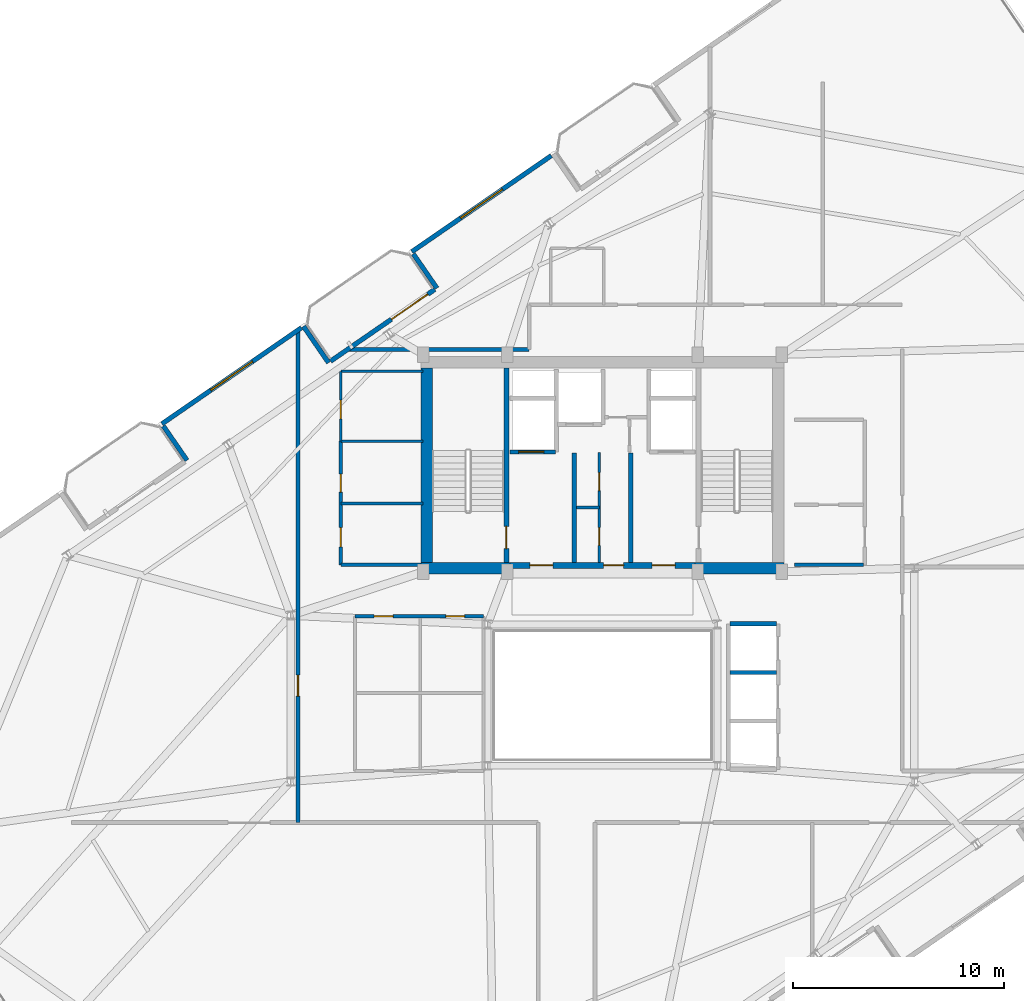
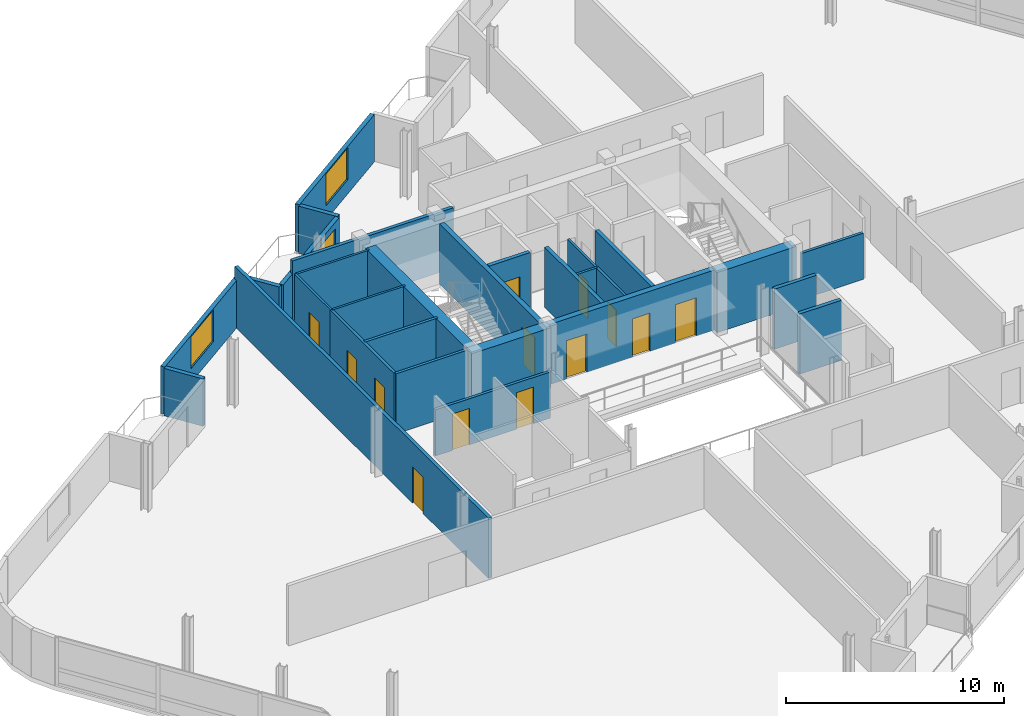
# One storey, part 18 of 23: 28 walls, 14 doors, 2 windows, 16 openings.
"""IFC4 building model written with IfcOpenShell, lengths in metres."""

from ifc_helpers import new_model, si_unit, direction, frame, frame_2d, origin, place, context, subcontext, project, spatial, rectangle, extrude, material, layer, layer_set, type_object, element, fill, save


model = new_model("IFC4")

# Units and contexts
model_context = context("Model", 3, precision=1e-05, world=origin(), true_north=direction((0.0, 1.0)))
body_context = subcontext(model_context, "Body", "Model", "MODEL_VIEW")
ifc_project = project(units=[si_unit("LENGTHUNIT", "METRE"), si_unit("AREAUNIT", "SQUARE_METRE"), si_unit("VOLUMEUNIT", "CUBIC_METRE"), si_unit("PLANEANGLEUNIT", "RADIAN"), si_unit("MASSUNIT", "GRAM", prefix="KILO")], contexts=[model_context])

# Site, building, storey
site_placement = place(None, origin())
site = spatial("IfcSite", under=ifc_project, at=site_placement, CompositionType="ELEMENT")
building_placement = place(site_placement, origin())
building = spatial("IfcBuilding", under=site, at=building_placement, Name="Varnelok Gate Tower", CompositionType="ELEMENT")
storey_placement = place(building_placement, frame((0.0, 0.0, 287.800048828125)))
storey = spatial("IfcBuildingStorey", under=building, at=storey_placement, Name="L74", CompositionType="ELEMENT", Elevation=287.800048828125)

# Wall, opening, door
ifc_material_1 = material(Name="Concrete C45/55", Category="concrete")
ifc_layer_1 = layer(ifc_material_1, 0.219970703125)
ifc_layer_set_1 = layer_set([ifc_layer_1], Name="Concrete C45/55")
wall_type_1 = type_object("IfcWallType", Name="EW-BALC-220", PredefinedType="SOLIDWALL", material=ifc_layer_set_1)
wall_1_placement = place(storey_placement, frame((26.29736328125, 38.742919921875, 0.0), z_axis=(0.0, 0.0, 1.0), x_axis=(0.823534636215, 0.567265989598, 0.0)))
wall_1 = element("IfcWall", 1, at=wall_1_placement, inside=storey, type_object=wall_type_1, Name="L74 North Terrace Envelope Wall 5", PredefinedType="SOLIDWALL", context=body_context, shape_type="SweptSolid", body=[
    extrude(rectangle(XDim=6.0, YDim=0.219970703125, at=frame_2d((3.0, 0.0))), origin(), (0.0, 0.0, 1.0), 2.659912109375),
])
opening_1_placement = place(wall_1_placement, frame((3.5, 0.0, 0.0)))
opening_1 = element("IfcOpeningElement", 2, at=opening_1_placement, cuts=wall_1, Name="Opening BD-2", PredefinedType="OPENING", context=body_context, shape_type="SweptSolid", body=[
    extrude(rectangle(XDim=2.10009765625, YDim=2.300048828125, at=frame_2d((1.050048828125, 1.14990234375))), frame((0.0, 0.119873046875, 0.0), z_axis=(0.0, -1.0, 0.0), x_axis=(1.0, 0.0, 0.0)), (0.0, 0.0, 1.0), 0.239990234375),
])
ifc_material_2 = material(Name="Anodized Aluminum Alloy 6063-T6", Category="aluminium")
door_type_1 = type_object("IfcDoorType", Name="DR-EXT-SLID2100", OperationType="SLIDING_TO_LEFT", PredefinedType="DOOR", material=ifc_material_2)
door_1_placement = place(opening_1_placement, origin())
door_1 = element("IfcDoor", 3, at=door_1_placement, inside=storey, type_object=door_type_1, Name="L74 North Balcony Glazed Door 5", OperationType="SLIDING_TO_LEFT", OverallHeight=2.300048828125, OverallWidth=2.10009765625, PredefinedType="DOOR", context=body_context, shape_type="SweptSolid", body=[
    extrude(rectangle(XDim=2.10009765625, YDim=2.300048828125, at=frame_2d((1.050048828125, 1.14990234375))), frame((0.0, 0.02490234375, 0.0), z_axis=(0.0, -1.0, 0.0), x_axis=(1.0, 0.0, 0.0)), (0.0, 0.0, 1.0), 0.050048828125),
])
fill(opening_1, door_1)

# Wall, opening, window
wall_2_placement = place(storey_placement, frame((36.768798828125, 48.493896484375, 0.0), z_axis=(0.0, 0.0, 1.0), x_axis=(-0.823521165086, -0.56728554596, 0.0)))
wall_2 = element("IfcWall", 4, at=wall_2_placement, inside=storey, type_object=wall_type_1, Name="L74 Perimeter Facade Closure Wall 32", PredefinedType="SOLIDWALL", context=body_context, shape_type="SweptSolid", body=[
    extrude(rectangle(XDim=8.034912109375, YDim=0.219970703125, at=frame_2d((4.017578125, 0.0))), origin(), (0.0, 0.0, 1.0), 2.659912109375),
])
opening_2_placement = place(wall_2_placement, frame((2.8173828125, 0.0, 0.800048828125)))
opening_2 = element("IfcOpeningElement", 5, at=opening_2_placement, cuts=wall_2, Name="Opening WN6A", PredefinedType="OPENING", context=body_context, shape_type="SweptSolid", body=[
    extrude(rectangle(XDim=2.39990234375, YDim=1.780029296875, at=frame_2d((1.199951171875, 0.89013671875))), frame((0.0, 0.119873046875, 0.0), z_axis=(0.0, -1.0, 0.0), x_axis=(1.0, 0.0, 0.0)), (0.0, 0.0, 1.0), 0.239990234375),
])
ifc_material_3 = material(Name="Low-E Laminated Double Glazing IGU", Category="glass")
window_type = type_object("IfcWindowType", Name="WN-PEN-2400X1780", PartitioningType="SINGLE_PANEL", PredefinedType="WINDOW", material=ifc_material_3)
window_1_placement = place(opening_2_placement, origin())
window_1 = element("IfcWindow", 6, at=window_1_placement, inside=storey, type_object=window_type, Name="L74 Perimeter Vision Window 32", OverallHeight=1.780029296875, OverallWidth=2.39990234375, PartitioningType="SINGLE_PANEL", PredefinedType="WINDOW", context=body_context, shape_type="SweptSolid", body=[
    extrude(rectangle(XDim=2.39990234375, YDim=1.780029296875, at=frame_2d((1.199951171875, 0.89013671875))), frame((0.0, 0.030029296875, 0.0), z_axis=(0.0, -1.0, 0.0), x_axis=(1.0, 0.0, 0.0)), (0.0, 0.0, 1.0), 0.06005859375),
])
fill(opening_2, window_1)

# Walls
wall_3_placement = place(storey_placement, frame((30.22265625, 43.8330078125, 0.0), z_axis=(0.0, 0.0, 1.0), x_axis=(0.567215821234, -0.823569190865, 0.0)))
element("IfcWall", 7, at=wall_3_placement, inside=storey, type_object=wall_type_1, Name="L74 Perimeter Facade Closure Wall 33", PredefinedType="SOLIDWALL", context=body_context, shape_type="SweptSolid", body=[
    extrude(rectangle(XDim=1.97509765625, YDim=0.219970703125, at=frame_2d((0.987548828125, 0.0))), origin(), (0.0, 0.0, 1.0), 2.659912109375),
])
wall_4_placement = place(storey_placement, frame((26.2041015625, 38.66650390625, 0.0), z_axis=(0.0, 0.0, 1.0), x_axis=(-0.567219383419, 0.823566737474, 0.0)))
element("IfcWall", 8, at=wall_4_placement, inside=storey, type_object=wall_type_1, Name="L74 Perimeter Facade Closure Wall 34", PredefinedType="SOLIDWALL", context=body_context, shape_type="SweptSolid", body=[
    extrude(rectangle(XDim=2.10009765625, YDim=0.219970703125, at=frame_2d((1.050048828125, 0.0))), origin(), (0.0, 0.0, 1.0), 2.659912109375),
])

# Wall, opening, window
wall_5_placement = place(storey_placement, frame((24.909912109375, 40.3251953125, 0.0), z_axis=(0.0, 0.0, 1.0), x_axis=(-0.823521165086, -0.56728554596, 0.0)))
wall_5 = element("IfcWall", 9, at=wall_5_placement, inside=storey, type_object=wall_type_1, Name="L74 Perimeter Facade Closure Wall 35", PredefinedType="SOLIDWALL", context=body_context, shape_type="SweptSolid", body=[
    extrude(rectangle(XDim=8.034912109375, YDim=0.219970703125, at=frame_2d((4.017578125, 0.0))), origin(), (0.0, 0.0, 1.0), 2.659912109375),
])
opening_3_placement = place(wall_5_placement, frame((2.8173828125, 0.0, 0.800048828125)))
opening_3 = element("IfcOpeningElement", 10, at=opening_3_placement, cuts=wall_5, Name="Opening WN6A", PredefinedType="OPENING", context=body_context, shape_type="SweptSolid", body=[
    extrude(rectangle(XDim=2.39990234375, YDim=1.780029296875, at=frame_2d((1.199951171875, 0.89013671875))), frame((0.0, 0.119873046875, 0.0), z_axis=(0.0, -1.0, 0.0), x_axis=(1.0, 0.0, 0.0)), (0.0, 0.0, 1.0), 0.239990234375),
])
window_2_placement = place(opening_3_placement, origin())
window_2 = element("IfcWindow", 11, at=window_2_placement, inside=storey, type_object=window_type, Name="L74 Perimeter Vision Window 35", OverallHeight=1.780029296875, OverallWidth=2.39990234375, PartitioningType="SINGLE_PANEL", PredefinedType="WINDOW", context=body_context, shape_type="SweptSolid", body=[
    extrude(rectangle(XDim=2.39990234375, YDim=1.780029296875, at=frame_2d((1.199951171875, 0.89013671875))), frame((0.0, 0.030029296875, 0.0), z_axis=(0.0, -1.0, 0.0), x_axis=(1.0, 0.0, 0.0)), (0.0, 0.0, 1.0), 0.06005859375),
])
fill(opening_3, window_2)

# Wall
wall_6_placement = place(storey_placement, frame((18.36376953125, 35.664306640625, 0.0), z_axis=(0.0, 0.0, 1.0), x_axis=(0.567215821234, -0.823569190865, 0.0)))
element("IfcWall", 12, at=wall_6_placement, inside=storey, type_object=wall_type_1, Name="L74 Perimeter Facade Closure Wall 36", PredefinedType="SOLIDWALL", context=body_context, shape_type="SweptSolid", body=[
    extrude(rectangle(XDim=1.97509765625, YDim=0.219970703125, at=frame_2d((0.987548828125, 0.0))), origin(), (0.0, 0.0, 1.0), 2.659912109375),
])

# Wall, opening, door
ifc_material_4 = material(Name="Gypsum Plasterboard Acoustic Partition", Category="gypsum")
ifc_layer_2 = layer(ifc_material_4, 0.179931640625)
ifc_layer_set_2 = layer_set([ifc_layer_2], Name="Gypsum Plasterboard Acoustic Partition")
wall_type_2 = type_object("IfcWallType", Name="PW-CORR-180", PredefinedType="PARTITIONING", material=ifc_layer_set_2)
wall_7_placement = place(storey_placement, frame((24.75, 16.85009765625, 0.0), z_axis=(0.0, 0.0, 1.0), x_axis=(0.0, 1.0, 0.0)))
wall_7 = element("IfcWall", 13, at=wall_7_placement, inside=storey, type_object=wall_type_2, Name="Interior Partition", PredefinedType="PARTITIONING", context=body_context, shape_type="SweptSolid", body=[
    extrude(rectangle(XDim=23.324951171875, YDim=0.179931640625, at=frame_2d((11.66259765625, 0.0))), origin(), (0.0, 0.0, 1.0), 3.3798828125),
])
opening_4_placement = place(wall_7_placement, frame((6.0, 0.0, 0.0)))
opening_4 = element("IfcOpeningElement", 14, at=opening_4_placement, cuts=wall_7, Name="Opening D-I1", PredefinedType="OPENING", context=body_context, shape_type="SweptSolid", body=[
    extrude(rectangle(XDim=1.0, YDim=2.050048828125, at=frame_2d((0.5, 1.02490234375))), frame((0.0, 0.099853515625, 0.0), z_axis=(0.0, -1.0, 0.0), x_axis=(1.0, 0.0, 0.0)), (0.0, 0.0, 1.0), 0.199951171875),
])
ifc_material_5 = material(Name="Engineered Hardwood Timber", Category="wood")
door_type_2 = type_object("IfcDoorType", Name="DR-INT-1000", OperationType="NOTDEFINED", PredefinedType="DOOR", material=ifc_material_5)
door_2_placement = place(opening_4_placement, origin())
door_2 = element("IfcDoor", 15, at=door_2_placement, inside=storey, type_object=door_type_2, Name="L74 Private Spa Door", OperationType="SINGLE_SWING_LEFT", OverallHeight=2.050048828125, OverallWidth=1.0, PredefinedType="DOOR", context=body_context, shape_type="SweptSolid", body=[
    extrude(rectangle(XDim=1.0, YDim=2.050048828125, at=frame_2d((0.5, 1.02490234375))), frame((0.0, 0.02490234375, 0.0), z_axis=(0.0, -1.0, 0.0), x_axis=(1.0, 0.0, 0.0)), (0.0, 0.0, 1.0), 0.050048828125),
])
fill(opening_4, door_2)

# Walls
wall_8_placement = place(storey_placement, frame((27.158935546875, 39.300048828125, 0.0), z_axis=(0.0, 0.0, 1.0), x_axis=(1.0, 0.0, 0.0)))
element("IfcWall", 16, at=wall_8_placement, inside=storey, type_object=wall_type_2, Name="Interior Partition", PredefinedType="PARTITIONING", context=body_context, shape_type="SweptSolid", body=[
    extrude(rectangle(XDim=8.56103515625, YDim=0.179931640625, at=frame_2d((4.280517578125, 0.0))), origin(), (0.0, 0.0, 1.0), 3.3798828125),
])
ifc_layer_3 = layer(ifc_material_4, 0.114990234375)
ifc_layer_set_3 = layer_set([ifc_layer_3], Name="Gypsum Plasterboard Acoustic Partition")
wall_type_3 = type_object("IfcWallType", Name="PW-ENS-125", PredefinedType="PARTITIONING", material=ifc_layer_set_3)
wall_9_placement = place(storey_placement, frame((26.800048828125, 34.949951171875, 0.0), z_axis=(0.0, 0.0, 1.0), x_axis=(1.0, 0.0, 0.0)))
element("IfcWall", 17, at=wall_9_placement, inside=storey, type_object=wall_type_3, Name="Interior Partition", PredefinedType="PARTITIONING", context=body_context, shape_type="SweptSolid", body=[
    extrude(rectangle(XDim=3.8798828125, YDim=0.114990234375, at=frame_2d((1.93994140625, 0.0))), origin(), (0.0, 0.0, 1.0), 3.3798828125),
])
wall_10_placement = place(storey_placement, frame((26.780029296875, 38.260009765625, 0.0), z_axis=(0.0, 0.0, 1.0), x_axis=(1.0, 0.0, 0.0)))
element("IfcWall", 18, at=wall_10_placement, inside=storey, type_object=wall_type_3, Name="Interior Partition", PredefinedType="PARTITIONING", context=body_context, shape_type="SweptSolid", body=[
    extrude(rectangle(XDim=3.89990234375, YDim=0.114990234375, at=frame_2d((1.949951171875, 0.0))), origin(), (0.0, 0.0, 1.0), 3.3798828125),
])

# Wall, opening, door
wall_11_placement = place(storey_placement, frame((26.780029296875, 34.949951171875, 0.0), z_axis=(0.0, 0.0, 1.0), x_axis=(0.0, 1.0, 0.0)))
wall_11 = element("IfcWall", 19, at=wall_11_placement, inside=storey, type_object=wall_type_3, Name="Interior Partition", PredefinedType="PARTITIONING", context=body_context, shape_type="SweptSolid", body=[
    extrude(rectangle(XDim=3.31005859375, YDim=0.114990234375, at=frame_2d((1.655029296875, 0.0))), origin(), (0.0, 0.0, 1.0), 3.3798828125),
])
opening_5_placement = place(wall_11_placement, frame((1.050048828125, 0.0, 0.0)))
opening_5 = element("IfcOpeningElement", 20, at=opening_5_placement, cuts=wall_11, Name="Opening D-WC", PredefinedType="OPENING", context=body_context, shape_type="SweptSolid", body=[
    extrude(rectangle(XDim=0.89990234375, YDim=2.050048828125, at=frame_2d((0.449951171875, 1.02490234375))), frame((0.0, 0.0673828125, 0.0), z_axis=(0.0, -1.0, 0.0), x_axis=(1.0, 0.0, 0.0)), (0.0, 0.0, 1.0), 0.135009765625),
])
door_type_3 = type_object("IfcDoorType", Name="DR-BATH-900", OperationType="NOTDEFINED", PredefinedType="DOOR", material=ifc_material_5)
door_3_placement = place(opening_5_placement, origin())
door_3 = element("IfcDoor", 21, at=door_3_placement, inside=storey, type_object=door_type_3, Name="L74 Core Staff WC Door", OperationType="SINGLE_SWING_LEFT", OverallHeight=2.050048828125, OverallWidth=0.89990234375, PredefinedType="DOOR", context=body_context, shape_type="SweptSolid", body=[
    extrude(rectangle(XDim=0.89990234375, YDim=2.050048828125, at=frame_2d((0.449951171875, 1.02490234375))), frame((0.0, 0.02490234375, 0.0), z_axis=(0.0, -1.0, 0.0), x_axis=(1.0, 0.0, 0.0)), (0.0, 0.0, 1.0), 0.050048828125),
])
fill(opening_5, door_3)

# Wall
ifc_layer_4 = layer(ifc_material_4, 0.125)
ifc_layer_set_4 = layer_set([ifc_layer_4], Name="Gypsum Plasterboard Acoustic Partition")
wall_type_4 = type_object("IfcWallType", Name="PW-PART-125", PredefinedType="PARTITIONING", material=ifc_layer_set_4)
wall_12_placement = place(storey_placement, frame((37.9599609375, 31.800048828125, 0.0), z_axis=(0.0, 0.0, 1.0), x_axis=(1.0, 0.0, 0.0)))
element("IfcWall", 22, at=wall_12_placement, inside=storey, type_object=wall_type_4, Name="Interior Partition", PredefinedType="PARTITIONING", context=body_context, shape_type="SweptSolid", body=[
    extrude(rectangle(XDim=1.090087890625, YDim=0.125, at=frame_2d((0.544921875, 0.0))), origin(), (0.0, 0.0, 1.0), 3.3798828125),
])

# Wall, openings, doors
wall_13_placement = place(storey_placement, frame((39.050048828125, 29.199951171875, 0.0), z_axis=(0.0, 0.0, 1.0), x_axis=(0.0, 1.0, 0.0)))
wall_13 = element("IfcWall", 23, at=wall_13_placement, inside=storey, type_object=wall_type_4, Name="Interior Partition", PredefinedType="PARTITIONING", context=body_context, shape_type="SweptSolid", body=[
    extrude(rectangle(XDim=5.219970703125, YDim=0.125, at=frame_2d((2.60986328125, 0.0))), origin(), (0.0, 0.0, 1.0), 3.3798828125),
])
opening_6_placement = place(wall_13_placement, frame((0.800048828125, 0.0, 0.0)))
opening_6 = element("IfcOpeningElement", 24, at=opening_6_placement, cuts=wall_13, Name="Opening D-RS", PredefinedType="OPENING", context=body_context, shape_type="SweptSolid", body=[
    extrude(rectangle(XDim=0.85009765625, YDim=2.050048828125, at=frame_2d((0.425048828125, 1.02490234375))), frame((0.0, 0.072509765625, 0.0), z_axis=(0.0, -1.0, 0.0), x_axis=(1.0, 0.0, 0.0)), (0.0, 0.0, 1.0), 0.14501953125),
])
opening_7_placement = place(wall_13_placement, frame((3.39990234375, 0.0, 0.0)))
opening_7 = element("IfcOpeningElement", 25, at=opening_7_placement, cuts=wall_13, Name="Opening D-RS", PredefinedType="OPENING", context=body_context, shape_type="SweptSolid", body=[
    extrude(rectangle(XDim=0.85009765625, YDim=2.050048828125, at=frame_2d((0.425048828125, 1.02490234375))), frame((0.0, 0.072509765625, 0.0), z_axis=(0.0, -1.0, 0.0), x_axis=(1.0, 0.0, 0.0)), (0.0, 0.0, 1.0), 0.14501953125),
])
ifc_material_6 = material(Name="Galvanized Steel Grade S350GD", Category="steel")
door_type_4 = type_object("IfcDoorType", Name="DR-RISER-850", OperationType="NOTDEFINED", PredefinedType="DOOR", material=ifc_material_6)
door_4_placement = place(opening_6_placement, origin())
door_4 = element("IfcDoor", 26, at=door_4_placement, inside=storey, type_object=door_type_4, Name="L74 Housekeeping Linen Door", OperationType="SINGLE_SWING_LEFT", OverallHeight=2.050048828125, OverallWidth=0.85009765625, PredefinedType="DOOR", context=body_context, shape_type="SweptSolid", body=[
    extrude(rectangle(XDim=0.85009765625, YDim=2.050048828125, at=frame_2d((0.425048828125, 1.02490234375))), frame((0.0, 0.02490234375, 0.0), z_axis=(0.0, -1.0, 0.0), x_axis=(1.0, 0.0, 0.0)), (0.0, 0.0, 1.0), 0.050048828125),
])
fill(opening_6, door_4)
door_5_placement = place(opening_7_placement, origin())
door_5 = element("IfcDoor", 27, at=door_5_placement, inside=storey, type_object=door_type_4, Name="L74 Janitor Sink Door", OperationType="SINGLE_SWING_RIGHT", OverallHeight=2.050048828125, OverallWidth=0.85009765625, PredefinedType="DOOR", context=body_context, shape_type="SweptSolid", body=[
    extrude(rectangle(XDim=0.85009765625, YDim=2.050048828125, at=frame_2d((0.425048828125, 1.02490234375))), frame((0.0, 0.02490234375, 0.0), z_axis=(0.0, -1.0, 0.0), x_axis=(1.0, 0.0, 0.0)), (0.0, 0.0, 1.0), 0.050048828125),
])
fill(opening_7, door_5)

ifc_layer_5 = layer(ifc_material_4, 0.14990234375)
ifc_layer_set_5 = layer_set([ifc_layer_5], Name="Gypsum Plasterboard Acoustic Partition")
wall_type_5 = type_object("IfcWallType", Name="PW-PART-150", PredefinedType="PARTITIONING", material=ifc_layer_set_5)
wall_14_placement = place(storey_placement, frame((27.4599609375, 26.639892578125, 0.0), z_axis=(0.0, 0.0, 1.0), x_axis=(1.0, 0.0, 0.0)))
wall_14 = element("IfcWall", 28, at=wall_14_placement, inside=storey, type_object=wall_type_5, Name="Interior Partition", PredefinedType="PARTITIONING", context=body_context, shape_type="SweptSolid", body=[
    extrude(rectangle(XDim=6.10009765625, YDim=0.14990234375, at=frame_2d((3.050048828125, 0.0))), origin(), (0.0, 0.0, 1.0), 2.592041015625),
])
opening_8_placement = place(wall_14_placement, frame((0.89990234375, 0.0, 0.0)))
opening_8 = element("IfcOpeningElement", 29, at=opening_8_placement, cuts=wall_14, Name="Opening D-WC", PredefinedType="OPENING", context=body_context, shape_type="SweptSolid", body=[
    extrude(rectangle(XDim=0.89990234375, YDim=2.050048828125, at=frame_2d((0.449951171875, 1.02490234375))), frame((0.0, 0.0849609375, 0.0), z_axis=(0.0, -1.0, 0.0), x_axis=(1.0, 0.0, 0.0)), (0.0, 0.0, 1.0), 0.169921875),
])
opening_9_placement = place(wall_14_placement, frame((4.302978515625, 0.0, 0.0)))
opening_9 = element("IfcOpeningElement", 30, at=opening_9_placement, cuts=wall_14, Name="Opening D-WC", PredefinedType="OPENING", context=body_context, shape_type="SweptSolid", body=[
    extrude(rectangle(XDim=0.89990234375, YDim=2.050048828125, at=frame_2d((0.449951171875, 1.02490234375))), frame((0.0, 0.0849609375, 0.0), z_axis=(0.0, -1.0, 0.0), x_axis=(1.0, 0.0, 0.0)), (0.0, 0.0, 1.0), 0.169921875),
])
door_6_placement = place(opening_8_placement, origin())
door_6 = element("IfcDoor", 31, at=door_6_placement, inside=storey, type_object=door_type_3, Name="L74 Male WC Door", OperationType="SINGLE_SWING_LEFT", OverallHeight=2.050048828125, OverallWidth=0.89990234375, PredefinedType="DOOR", context=body_context, shape_type="SweptSolid", body=[
    extrude(rectangle(XDim=0.89990234375, YDim=2.050048828125, at=frame_2d((0.449951171875, 1.02490234375))), frame((0.0, 0.02490234375, 0.0), z_axis=(0.0, -1.0, 0.0), x_axis=(1.0, 0.0, 0.0)), (0.0, 0.0, 1.0), 0.050048828125),
])
fill(opening_8, door_6)
door_7_placement = place(opening_9_placement, origin())
door_7 = element("IfcDoor", 32, at=door_7_placement, inside=storey, type_object=door_type_3, Name="L74 Female WC Door", OperationType="SINGLE_SWING_RIGHT", OverallHeight=2.050048828125, OverallWidth=0.89990234375, PredefinedType="DOOR", context=body_context, shape_type="SweptSolid", body=[
    extrude(rectangle(XDim=0.89990234375, YDim=2.050048828125, at=frame_2d((0.449951171875, 1.02490234375))), frame((0.0, 0.02490234375, 0.0), z_axis=(0.0, -1.0, 0.0), x_axis=(1.0, 0.0, 0.0)), (0.0, 0.0, 1.0), 0.050048828125),
])
fill(opening_9, door_7)

# Walls
wall_15_placement = place(storey_placement, frame((26.780029296875, 29.080078125, 0.0), z_axis=(0.0, 0.0, 1.0), x_axis=(1.0, 0.0, 0.0)))
element("IfcWall", 33, at=wall_15_placement, inside=storey, type_object=wall_type_5, Name="Interior Partition", PredefinedType="PARTITIONING", context=body_context, shape_type="SweptSolid", body=[
    extrude(rectangle(XDim=3.800048828125, YDim=0.14990234375, at=frame_2d((1.89990234375, 0.0))), origin(), (0.0, 0.0, 1.0), 3.3798828125),
])
wall_16_placement = place(storey_placement, frame((26.800048828125, 31.989990234375, 0.0), z_axis=(0.0, 0.0, 1.0), x_axis=(1.0, 0.0, 0.0)))
element("IfcWall", 34, at=wall_16_placement, inside=storey, type_object=wall_type_5, Name="Interior Partition", PredefinedType="PARTITIONING", context=body_context, shape_type="SweptSolid", body=[
    extrude(rectangle(XDim=3.8798828125, YDim=0.14990234375, at=frame_2d((1.93994140625, 0.0))), origin(), (0.0, 0.0, 1.0), 3.3798828125),
])

# Wall, openings, doors
wall_17_placement = place(storey_placement, frame((26.780029296875, 29.080078125, 0.0), z_axis=(0.0, 0.0, 1.0), x_axis=(0.0, 1.0, 0.0)))
wall_17 = element("IfcWall", 35, at=wall_17_placement, inside=storey, type_object=wall_type_5, Name="Interior Partition", PredefinedType="PARTITIONING", context=body_context, shape_type="SweptSolid", body=[
    extrude(rectangle(XDim=5.869873046875, YDim=0.14990234375, at=frame_2d((2.93505859375, 0.0))), origin(), (0.0, 0.0, 1.0), 3.3798828125),
])
opening_10_placement = place(wall_17_placement, frame((0.85009765625, 0.0, 0.0)))
opening_10 = element("IfcOpeningElement", 36, at=opening_10_placement, cuts=wall_17, Name="Opening D-I3", PredefinedType="OPENING", context=body_context, shape_type="SweptSolid", body=[
    extrude(rectangle(XDim=0.919921875, YDim=2.050048828125, at=frame_2d((0.4599609375, 1.02490234375))), frame((0.0, 0.0849609375, 0.0), z_axis=(0.0, -1.0, 0.0), x_axis=(1.0, 0.0, 0.0)), (0.0, 0.0, 1.0), 0.169921875),
])
opening_11_placement = place(wall_17_placement, frame((3.449951171875, 0.0, 0.0)))
opening_11 = element("IfcOpeningElement", 37, at=opening_11_placement, cuts=wall_17, Name="Opening D-RS", PredefinedType="OPENING", context=body_context, shape_type="SweptSolid", body=[
    extrude(rectangle(XDim=0.85009765625, YDim=2.050048828125, at=frame_2d((0.425048828125, 1.02490234375))), frame((0.0, 0.0849609375, 0.0), z_axis=(0.0, -1.0, 0.0), x_axis=(1.0, 0.0, 0.0)), (0.0, 0.0, 1.0), 0.169921875),
])
door_type_5 = type_object("IfcDoorType", Name="DR-INT-920", OperationType="NOTDEFINED", PredefinedType="DOOR", material=ifc_material_5)
door_8_placement = place(opening_10_placement, origin())
door_8 = element("IfcDoor", 38, at=door_8_placement, inside=storey, type_object=door_type_5, Name="L74 Core Linen Door", OperationType="SINGLE_SWING_LEFT", OverallHeight=2.050048828125, OverallWidth=0.919921875, PredefinedType="DOOR", context=body_context, shape_type="SweptSolid", body=[
    extrude(rectangle(XDim=0.919921875, YDim=2.050048828125, at=frame_2d((0.4599609375, 1.02490234375))), frame((0.0, 0.02490234375, 0.0), z_axis=(0.0, -1.0, 0.0), x_axis=(1.0, 0.0, 0.0)), (0.0, 0.0, 1.0), 0.050048828125),
])
fill(opening_10, door_8)
door_9_placement = place(opening_11_placement, origin())
door_9 = element("IfcDoor", 39, at=door_9_placement, inside=storey, type_object=door_type_4, Name="L74 Core Janitor Door", OperationType="SINGLE_SWING_RIGHT", OverallHeight=2.050048828125, OverallWidth=0.85009765625, PredefinedType="DOOR", context=body_context, shape_type="SweptSolid", body=[
    extrude(rectangle(XDim=0.85009765625, YDim=2.050048828125, at=frame_2d((0.425048828125, 1.02490234375))), frame((0.0, 0.02490234375, 0.0), z_axis=(0.0, -1.0, 0.0), x_axis=(1.0, 0.0, 0.0)), (0.0, 0.0, 1.0), 0.050048828125),
])
fill(opening_11, door_9)

# Walls
wall_18_placement = place(storey_placement, frame((48.300048828125, 29.080078125, 0.0), z_axis=(0.0, 0.0, 1.0), x_axis=(1.0, 0.0, 0.0)))
element("IfcWall", 40, at=wall_18_placement, inside=storey, type_object=wall_type_5, Name="Interior Partition", PredefinedType="PARTITIONING", context=body_context, shape_type="SweptSolid", body=[
    extrude(rectangle(XDim=3.280029296875, YDim=0.14990234375, at=frame_2d((1.64013671875, 0.0))), origin(), (0.0, 0.0, 1.0), 2.592041015625),
])
ifc_material_7 = material(Name="Concrete C35/45", Category="concrete")
ifc_layer_6 = layer(ifc_material_7, 0.199951171875)
ifc_layer_set_6 = layer_set([ifc_layer_6], Name="Concrete C35/45")
wall_type_6 = type_object("IfcWallType", Name="PW-SHAFT-200", PredefinedType="PARTITIONING", material=ifc_layer_set_6)
for number, where, z_axis, x_axis, name in (
    (41, (37.860107421875, 29.199951171875, 0.0), (0.0, 0.0, 1.0), (0.0, 1.0, 0.0), "L74 West FF Lobby Rated Wall"),
    (42, (40.5400390625, 29.199951171875, 0.0), (0.0, 0.0, 1.0), (0.0, 1.0, 0.0), "L74 East FF Lobby Rated Wall"),
):
    element("IfcWall", number, at=place(storey_placement, frame(where, z_axis=z_axis, x_axis=x_axis)), inside=storey, type_object=wall_type_6, Name=name, PredefinedType="PARTITIONING", context=body_context, shape_type="SweptSolid", body=[
        extrude(rectangle(XDim=5.179931640625, YDim=0.199951171875, at=frame_2d((2.58984375, 0.0))), origin(), (0.0, 0.0, 1.0), 3.3798828125),
    ])

# Wall, opening, door
wall_19_placement = place(storey_placement, frame((34.800048828125, 34.43994140625, 0.0), z_axis=(0.0, 0.0, 1.0), x_axis=(1.0, 0.0, 0.0)))
wall_19 = element("IfcWall", 43, at=wall_19_placement, inside=storey, type_object=wall_type_6, Name="L74 FF1 Shaft Front Wall", PredefinedType="PARTITIONING", context=body_context, shape_type="SweptSolid", body=[
    extrude(rectangle(XDim=2.179931640625, YDim=0.199951171875, at=frame_2d((1.08984375, 0.0))), origin(), (0.0, 0.0, 1.0), 3.3798828125),
])
opening_12_placement = place(wall_19_placement, frame((0.419921875, 0.0, 0.0)))
opening_12 = element("IfcOpeningElement", 44, at=opening_12_placement, cuts=wall_19, Name="Opening LD-FF1", PredefinedType="OPENING", context=body_context, shape_type="SweptSolid", body=[
    extrude(rectangle(XDim=1.199951171875, YDim=2.199951171875, at=frame_2d((0.60009765625, 1.10009765625))), frame((0.0, 0.10986328125, 0.0), z_axis=(0.0, -1.0, 0.0), x_axis=(1.0, 0.0, 0.0)), (0.0, 0.0, 1.0), 0.219970703125),
])
door_type_6 = type_object("IfcDoorType", Name="DR-LIFT-FF1200", OperationType="SLIDING_TO_LEFT", PredefinedType="DOOR", material=ifc_material_6)
door_10_placement = place(opening_12_placement, origin())
door_10 = element("IfcDoor", 45, at=door_10_placement, inside=storey, type_object=door_type_6, Name="L74 Firefighting Lift Landing Door LD-FF1", OperationType="SLIDING_TO_LEFT", OverallHeight=2.199951171875, OverallWidth=1.199951171875, PredefinedType="DOOR", context=body_context, shape_type="SweptSolid", body=[
    extrude(rectangle(XDim=1.199951171875, YDim=2.199951171875, at=frame_2d((0.60009765625, 1.10009765625))), frame((0.0, 0.02490234375, 0.0), z_axis=(0.0, -1.0, 0.0), x_axis=(1.0, 0.0, 0.0)), (0.0, 0.0, 1.0), 0.050048828125),
])
fill(opening_12, door_10)

# Walls
for number, where, z_axis, x_axis, name in (
    (46, (45.239990234375, 23.97509765625, 0.0), (0.0, 0.0, 1.0), (1.0, 0.0, 0.0), "L74 PH2 Divider"),
    (47, (45.239990234375, 26.280029296875, 0.0), (0.0, 0.0, 1.0), (1.0, 0.0, 0.0), "L74 PH Bank North Wall"),
):
    element("IfcWall", number, at=place(storey_placement, frame(where, z_axis=z_axis, x_axis=x_axis)), inside=storey, type_object=wall_type_6, Name=name, PredefinedType="PARTITIONING", context=body_context, shape_type="SweptSolid", body=[
        extrude(rectangle(XDim=2.219970703125, YDim=0.199951171875, at=frame_2d((1.10986328125, 0.0))), origin(), (0.0, 0.0, 1.0), 3.3798828125),
    ])
ifc_material_8 = material(Name="Concrete C60/75", Category="concrete")
ifc_layer_7 = layer(ifc_material_8, 0.550048828125)
ifc_layer_set_7 = layer_set([ifc_layer_7], Name="Concrete C60/75")
wall_type_7 = type_object("IfcWallType", Name="SW-CORE-550", PredefinedType="SHEAR", material=ifc_layer_set_7)
wall_20_placement = place(storey_placement, frame((30.85498046875, 29.199951171875, 0.0), z_axis=(0.0, 0.0, 1.0), x_axis=(0.0, 1.0, 0.0)))
element("IfcWall", 48, at=wall_20_placement, inside=storey, type_object=wall_type_7, Name="L74 Rear Core West Shear Wall", PredefinedType="SHEAR", context=body_context, shape_type="SweptSolid", body=[
    extrude(rectangle(XDim=9.219970703125, YDim=0.550048828125, at=frame_2d((4.60986328125, 0.0))), origin(), (0.0, 0.0, 1.0), 3.3798828125),
])
for number, where, z_axis, x_axis, name in (
    (49, (30.580078125, 28.925048828125, 0.0), (0.0, 0.0, 1.0), (1.0, 0.0, 0.0), "L74 Rear Core South-West Shear Wall"),
    (50, (43.60009765625, 28.925048828125, 0.0), (0.0, 0.0, 1.0), (1.0, 0.0, 0.0), "L74 Rear Core South-East Shear Wall"),
):
    element("IfcWall", number, at=place(storey_placement, frame(where, z_axis=z_axis, x_axis=x_axis)), inside=storey, type_object=wall_type_7, Name=name, PredefinedType="SHEAR", context=body_context, shape_type="SweptSolid", body=[
        extrude(rectangle(XDim=4.219970703125, YDim=0.550048828125, at=frame_2d((2.10986328125, 0.0))), origin(), (0.0, 0.0, 1.0), 3.3798828125),
    ])

# Wall, opening, door
ifc_layer_8 = layer(ifc_material_8, 0.25)
ifc_layer_set_8 = layer_set([ifc_layer_8], Name="Concrete C60/75")
wall_type_8 = type_object("IfcWallType", Name="SW-SHAFT-250", PredefinedType="SHEAR", material=ifc_layer_set_8)
wall_21_placement = place(storey_placement, frame((34.639892578125, 29.199951171875, 0.0), z_axis=(0.0, 0.0, 1.0), x_axis=(0.0, 1.0, 0.0)))
wall_21 = element("IfcWall", 51, at=wall_21_placement, inside=storey, type_object=wall_type_8, Name="L74 Stair ST-1 East Shear Wall", PredefinedType="SHEAR", context=body_context, shape_type="SweptSolid", body=[
    extrude(rectangle(XDim=9.219970703125, YDim=0.25, at=frame_2d((4.60986328125, 0.0))), origin(), (0.0, 0.0, 1.0), 3.3798828125),
])
opening_13_placement = place(wall_21_placement, frame((0.64990234375, 0.0, 0.0)))
opening_13 = element("IfcOpeningElement", 52, at=opening_13_placement, cuts=wall_21, Name="Opening D-ST", PredefinedType="OPENING", context=body_context, shape_type="SweptSolid", body=[
    extrude(rectangle(XDim=1.050048828125, YDim=2.14990234375, at=frame_2d((0.52490234375, 1.074951171875))), frame((0.0, 0.135009765625, 0.0), z_axis=(0.0, -1.0, 0.0), x_axis=(1.0, 0.0, 0.0)), (0.0, 0.0, 1.0), 0.27001953125),
])
door_type_7 = type_object("IfcDoorType", Name="DR-STAIR-1050", OperationType="NOTDEFINED", PredefinedType="DOOR", material=ifc_material_6)
door_11_placement = place(opening_13_placement, origin())
door_11 = element("IfcDoor", 53, at=door_11_placement, inside=storey, type_object=door_type_7, Name="L74 Exit Stair ST-1 Fire Door", OperationType="SINGLE_SWING_LEFT", OverallHeight=2.14990234375, OverallWidth=1.050048828125, PredefinedType="DOOR", context=body_context, shape_type="SweptSolid", body=[
    extrude(rectangle(XDim=1.050048828125, YDim=2.14990234375, at=frame_2d((0.52490234375, 1.074951171875))), frame((0.0, 0.02490234375, 0.0), z_axis=(0.0, -1.0, 0.0), x_axis=(1.0, 0.0, 0.0)), (0.0, 0.0, 1.0), 0.050048828125),
])
fill(opening_13, door_11)

# Wall, openings, doors
ifc_layer_9 = layer(ifc_material_8, 0.300048828125)
ifc_layer_set_9 = layer_set([ifc_layer_9], Name="Concrete C60/75")
wall_type_9 = type_object("IfcWallType", Name="SW-SHAFT-300", PredefinedType="SHEAR", material=ifc_layer_set_9)
wall_22_placement = place(storey_placement, frame((34.800048828125, 29.050048828125, 0.0), z_axis=(0.0, 0.0, 1.0), x_axis=(1.0, 0.0, 0.0)))
wall_22 = element("IfcWall", 54, at=wall_22_placement, inside=storey, type_object=wall_type_9, Name="L74 Rear Core Central Lobby Shear Wall", PredefinedType="SHEAR", context=body_context, shape_type="SweptSolid", body=[
    extrude(rectangle(XDim=8.800048828125, YDim=0.300048828125, at=frame_2d((4.39990234375, 0.0))), origin(), (0.0, 0.0, 1.0), 3.3798828125),
])
opening_14_placement = place(wall_22_placement, frame((0.949951171875, 0.0, 0.0)))
opening_14 = element("IfcOpeningElement", 55, at=opening_14_placement, cuts=wall_22, Name="Opening D-FF", PredefinedType="OPENING", context=body_context, shape_type="SweptSolid", body=[
    extrude(rectangle(XDim=1.10009765625, YDim=2.14990234375, at=frame_2d((0.550048828125, 1.074951171875))), frame((0.0, 0.159912109375, 0.0), z_axis=(0.0, -1.0, 0.0), x_axis=(1.0, 0.0, 0.0)), (0.0, 0.0, 1.0), 0.320068359375),
])
opening_15_placement = place(wall_22_placement, frame((6.75, 0.0, 0.0)))
opening_15 = element("IfcOpeningElement", 56, at=opening_15_placement, cuts=wall_22, Name="Opening D-FF", PredefinedType="OPENING", context=body_context, shape_type="SweptSolid", body=[
    extrude(rectangle(XDim=1.10009765625, YDim=2.14990234375, at=frame_2d((0.550048828125, 1.074951171875))), frame((0.0, 0.159912109375, 0.0), z_axis=(0.0, -1.0, 0.0), x_axis=(1.0, 0.0, 0.0)), (0.0, 0.0, 1.0), 0.320068359375),
])
opening_16_placement = place(wall_22_placement, frame((4.449951171875, 0.0, 0.0)))
opening_16 = element("IfcOpeningElement", 57, at=opening_16_placement, cuts=wall_22, Name="Opening D-CR", PredefinedType="OPENING", context=body_context, shape_type="SweptSolid", body=[
    extrude(rectangle(XDim=0.949951171875, YDim=2.14990234375, at=frame_2d((0.47509765625, 1.074951171875))), frame((0.0, 0.159912109375, 0.0), z_axis=(0.0, -1.0, 0.0), x_axis=(1.0, 0.0, 0.0)), (0.0, 0.0, 1.0), 0.320068359375),
])
door_type_8 = type_object("IfcDoorType", Name="DR-CORR-950", OperationType="NOTDEFINED", PredefinedType="DOOR", material=ifc_material_6)
door_12_placement = place(opening_16_placement, origin())
door_12 = element("IfcDoor", 58, at=door_12_placement, inside=storey, type_object=door_type_8, Name="L74 Core Service Passage Door", OperationType="SINGLE_SWING_LEFT", OverallHeight=2.14990234375, OverallWidth=0.949951171875, PredefinedType="DOOR", context=body_context, shape_type="SweptSolid", body=[
    extrude(rectangle(XDim=0.949951171875, YDim=2.14990234375, at=frame_2d((0.47509765625, 1.074951171875))), frame((0.0, 0.02490234375, 0.0), z_axis=(0.0, -1.0, 0.0), x_axis=(1.0, 0.0, 0.0)), (0.0, 0.0, 1.0), 0.050048828125),
])
fill(opening_16, door_12)
door_type_9 = type_object("IfcDoorType", Name="DR-FFLOB-1100", OperationType="NOTDEFINED", PredefinedType="DOOR", material=ifc_material_6)
door_13_placement = place(opening_14_placement, origin())
door_13 = element("IfcDoor", 59, at=door_13_placement, inside=storey, type_object=door_type_9, Name="L74 West Firefighting Lobby Fire Door", OperationType="SINGLE_SWING_RIGHT", OverallHeight=2.14990234375, OverallWidth=1.10009765625, PredefinedType="DOOR", context=body_context, shape_type="SweptSolid", body=[
    extrude(rectangle(XDim=1.10009765625, YDim=2.14990234375, at=frame_2d((0.550048828125, 1.074951171875))), frame((0.0, 0.02490234375, 0.0), z_axis=(0.0, -1.0, 0.0), x_axis=(1.0, 0.0, 0.0)), (0.0, 0.0, 1.0), 0.050048828125),
])
fill(opening_14, door_13)
door_14_placement = place(opening_15_placement, origin())
door_14 = element("IfcDoor", 60, at=door_14_placement, inside=storey, type_object=door_type_9, Name="L74 East Firefighting Lobby Fire Door", OperationType="SINGLE_SWING_LEFT", OverallHeight=2.14990234375, OverallWidth=1.10009765625, PredefinedType="DOOR", context=body_context, shape_type="SweptSolid", body=[
    extrude(rectangle(XDim=1.10009765625, YDim=2.14990234375, at=frame_2d((0.550048828125, 1.074951171875))), frame((0.0, 0.02490234375, 0.0), z_axis=(0.0, -1.0, 0.0), x_axis=(1.0, 0.0, 0.0)), (0.0, 0.0, 1.0), 0.050048828125),
])
fill(opening_15, door_14)

save(model, "model.ifc")
